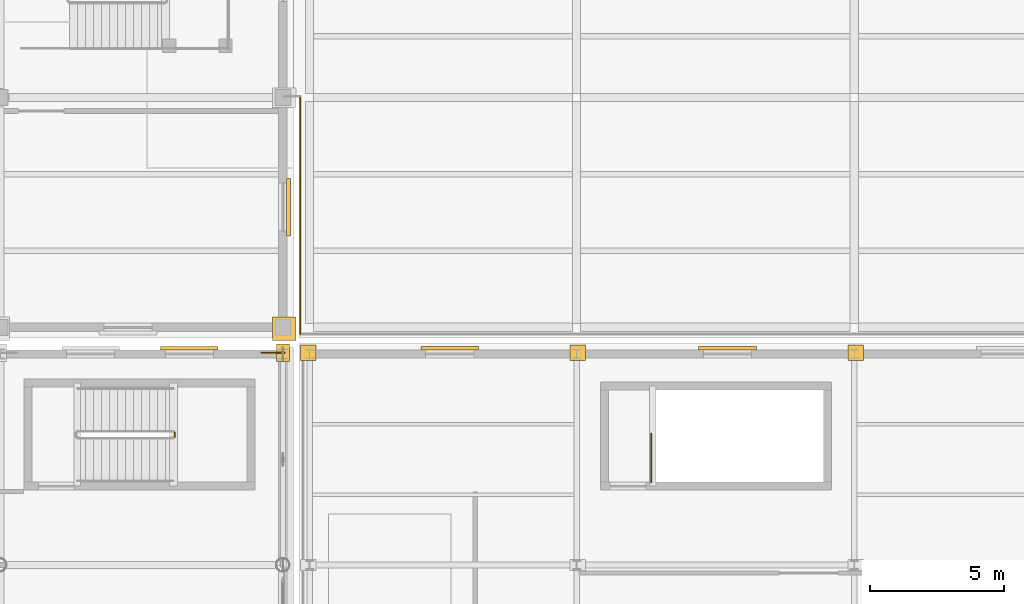
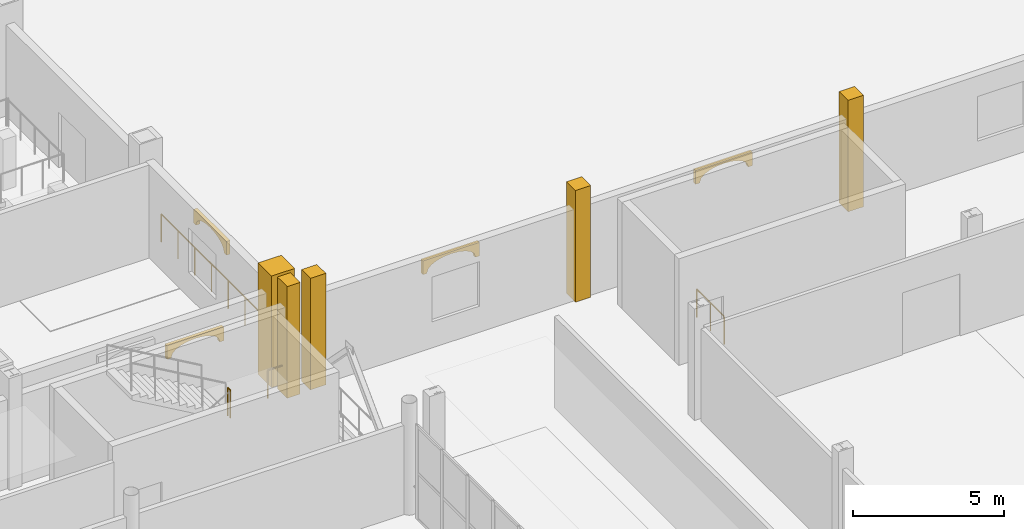
# One storey, part 152 of 156: 9 coverings, 4 railings.
"""IFC4 building model written with IfcOpenShell, lengths in metres."""

from ifc_helpers import new_model, si_unit, direction, frame, origin, origin_2d, place, context, subcontext, project, spatial, polyline, rectangle, circle, outline, extrude, material, layer, layer_set, type_object, element, save


model = new_model("IFC4")

# Units and contexts
model_context = context("Model", 3, precision=1e-05, world=origin(), true_north=direction((0.0, 1.0)))
body_context = subcontext(model_context, "Body", "Model", "MODEL_VIEW")
ifc_project = project(units=[si_unit("LENGTHUNIT", "METRE"), si_unit("AREAUNIT", "SQUARE_METRE"), si_unit("VOLUMEUNIT", "CUBIC_METRE"), si_unit("PLANEANGLEUNIT", "RADIAN"), si_unit("MASSUNIT", "GRAM", prefix="KILO")], contexts=[model_context])

# Site, building, storey
site_placement = place(None, origin())
site = spatial("IfcSite", under=ifc_project, at=site_placement, CompositionType="ELEMENT")
building_placement = place(site_placement, origin())
building = spatial("IfcBuilding", under=site, at=building_placement, Name="Caurita Quay Ferry Terminal", CompositionType="ELEMENT")
storey_placement = place(building_placement, frame((0.0, 0.0, 5.39990234375)))
storey = spatial("IfcBuildingStorey", under=building, at=storey_placement, Name="L01", CompositionType="ELEMENT", Elevation=5.39990234375)

# Coverings
ifc_material_1 = material(Name="Warm-white lime stucco masonry", Category="masonry")
ifc_layer_1 = layer(ifc_material_1, 0.179931640625, Name="Classical engaged lime-stucco facade pilaster cladding 180 mm")
ifc_layer_set_1 = layer_set([ifc_layer_1], Name="Warm-white lime stucco masonry")
covering_type_1 = type_object("IfcCoveringType", Name="COV-PIL-CLD", PredefinedType="CLADDING", material=ifc_layer_set_1)
covering_1_placement = place(storey_placement, frame((131.800048828125, 70.64990234375, 0.0), z_axis=(0.0, 0.0, 1.0), x_axis=(1.0, 0.0, 0.0)))
element("IfcCovering", 1, at=covering_1_placement, inside=storey, type_object=covering_type_1, Name="L01 Classical Engaged Pilaster 0115", PredefinedType="CLADDING", context=body_context, shape_type="SweptSolid", body=[
    extrude(rectangle(XDim=0.492919921875, YDim=0.64794921875, at=origin_2d()), origin(), (0.0, 0.0, 1.0), 4.5),
])
for number, where, z_axis, x_axis, name in (
    (2, (132.75, 70.64990234375, 0.0), (0.0, 0.0, 1.0), (1.0, 0.0, 0.0), "L01 Classical Engaged Pilaster 0126"),
    (3, (142.85009765625, 70.64990234375, 0.0), (0.0, 0.0, 1.0), (1.0, 0.0, 0.0), "L01 Classical Engaged Pilaster 0145"),
    (4, (153.25, 70.64990234375, 0.0), (0.0, 0.0, 1.0), (1.0, 0.0, 0.0), "L01 Classical Engaged Pilaster 0164"),
):
    element("IfcCovering", number, at=place(storey_placement, frame(where, z_axis=z_axis, x_axis=x_axis)), inside=storey, type_object=covering_type_1, Name=name, PredefinedType="CLADDING", context=body_context, shape_type="SweptSolid", body=[
        extrude(rectangle(XDim=0.584716796875, YDim=0.58740234375, at=origin_2d()), origin(), (0.0, 0.0, 1.0), 4.5),
    ])
covering_2_placement = place(storey_placement, frame((131.85009765625, 71.550048828125, 0.0), z_axis=(0.0, 0.0, 1.0), x_axis=(1.0, 0.0, 0.0)))
element("IfcCovering", 5, at=covering_2_placement, inside=storey, type_object=covering_type_1, Name="L01 Classical Engaged Pilaster 0229", PredefinedType="CLADDING", context=body_context, shape_type="SweptSolid", body=[
    extrude(rectangle(XDim=0.8798828125, YDim=0.8798828125, at=origin_2d()), origin(), (0.0, 0.0, 1.0), 4.5),
])
ifc_material_2 = material(Name="Coral stone ashlar cladding", Category="masonry")
ifc_layer_2 = layer(ifc_material_2, 0.139892578125, Name="Spanish Colonial semicircular arched window surround 140 mm")
ifc_layer_set_2 = layer_set([ifc_layer_2], Name="Coral stone ashlar cladding")
covering_type_2 = type_object("IfcCoveringType", Name="COV-WHD-MLD", PredefinedType="MOLDING", material=ifc_layer_set_2)
for number, where, z_axis, x_axis, name in (
    (6, (129.3798828125, 70.81494140625, 2.830078125), (0.0, 0.0, 1.0), (-1.0, 0.0, 0.0), "L01 Arched Window Surround 159"),
    (7, (139.130126953125, 70.81494140625, 2.830078125), (0.0, 0.0, 1.0), (-1.0, 0.0, 0.0), "L01 Arched Window Surround 184"),
    (8, (149.530029296875, 70.81494140625, 2.830078125), (0.0, 0.0, 1.0), (-1.0, 0.0, 0.0), "L01 Arched Window Surround 185"),
    (9, (132.014892578125, 75.02001953125, 2.780029296875), (0.0, 0.0, 1.0), (0.0, 1.0, 0.0), "L01 Arched Window Surround 210"),
):
    element("IfcCovering", number, at=place(storey_placement, frame(where, z_axis=z_axis, x_axis=x_axis)), inside=storey, type_object=covering_type_2, Name=name, PredefinedType="MOLDING", context=body_context, shape_type="SweptSolid", body=[
        extrude(outline(polyline([(0.0, 0.0), (0.159912109375, 0.0), (0.159912109375, 0.0400390625), (0.205078125, 0.1728515625), (0.335693359375, 0.292724609375), (0.539306640625, 0.387939453125), (0.795654296875, 0.448974609375), (1.080078125, 0.469970703125), (1.3642578125, 0.448974609375), (1.62060546875, 0.387939453125), (1.82421875, 0.292724609375), (1.954833984375, 0.1728515625), (2.0, 0.0400390625), (2.0, 0.0), (2.159912109375, 0.0), (2.159912109375, 0.550048828125), (0.0, 0.550048828125), (0.0, 0.0)])), frame((0.0, 0.06982421875, 0.0), z_axis=(0.0, -1.0, 0.0), x_axis=(1.0, 0.0, 0.0)), (0.0, 0.0, 1.0), 0.139892578125),
    ])

# Railings
ifc_material_3 = material(Name="Bronze architectural metalwork", Category="metal")
railing_type = type_object("IfcRailingType", Name="RL-REJA-115", PredefinedType="BALUSTRADE", material=ifc_material_3)
railing_1_placement = place(storey_placement, frame((132.449951171875, 80.199951171875, 0.0)))
element("IfcRailing", 10, at=railing_1_placement, inside=storey, type_object=railing_type, Name="Lower Roof Garden Balustrade SW (019)", PredefinedType="BALUSTRADE", context=body_context, shape_type="SweptSolid", body=[
    extrude(circle(Radius=0.02392578125, at=origin_2d()), frame((0.0, 0.0, 1.1259765625), z_axis=(0.0, -1.0, 0.0), x_axis=(1.0, 0.0, 0.0)), (0.0, 0.0, 1.0), 8.849853515625),
    extrude(circle(Radius=0.02099609375, at=origin_2d()), origin(), (0.0, 0.0, 1.0), 1.101806640625),
    extrude(circle(Radius=0.02099609375, at=origin_2d()), frame((0.0, -1.106201171875, 0.0)), (0.0, 0.0, 1.0), 1.101806640625),
    extrude(circle(Radius=0.02099609375, at=origin_2d()), frame((0.0, -2.21240234375, 0.0)), (0.0, 0.0, 1.0), 1.101806640625),
    extrude(circle(Radius=0.02099609375, at=origin_2d()), frame((0.0, -3.318603515625, 0.0)), (0.0, 0.0, 1.0), 1.101806640625),
    extrude(circle(Radius=0.02099609375, at=origin_2d()), frame((0.0, -4.4248046875, 0.0)), (0.0, 0.0, 1.0), 1.101806640625),
    extrude(circle(Radius=0.02099609375, at=origin_2d()), frame((0.0, -5.53125, 0.0)), (0.0, 0.0, 1.0), 1.101806640625),
    extrude(circle(Radius=0.02099609375, at=origin_2d()), frame((0.0, -6.637451171875, 0.0)), (0.0, 0.0, 1.0), 1.101806640625),
    extrude(circle(Radius=0.02099609375, at=origin_2d()), frame((0.0, -7.74365234375, 0.0)), (0.0, 0.0, 1.0), 1.101806640625),
    extrude(circle(Radius=0.02099609375, at=origin_2d()), frame((0.0, -8.849853515625, 0.0)), (0.0, 0.0, 1.0), 1.101806640625),
])
railing_2_placement = place(storey_placement, frame((131.0, 70.64990234375, 0.0)))
element("IfcRailing", 11, at=railing_2_placement, inside=storey, type_object=railing_type, Name="L01 V2 NE Corner Guard (100)", PredefinedType="BALUSTRADE", context=body_context, shape_type="SweptSolid", body=[
    extrude(circle(Radius=0.02392578125, at=origin_2d()), frame((0.0, 0.0, 1.1259765625), z_axis=(1.0, 0.0, 0.0), x_axis=(0.0, 1.0, 0.0)), (0.0, 0.0, 1.0), 0.85009765625),
    extrude(circle(Radius=0.02099609375, at=origin_2d()), origin(), (0.0, 0.0, 1.0), 1.101806640625),
    extrude(circle(Radius=0.02099609375, at=origin_2d()), frame((0.85009765625, 0.0, 0.0)), (0.0, 0.0, 1.0), 1.101806640625),
])
railing_3_placement = place(storey_placement, frame((127.75, 67.5, 2.25)))
element("IfcRailing", 12, at=railing_3_placement, inside=storey, type_object=railing_type, Name="L01 ST-09 stair guard 2", PredefinedType="BALUSTRADE", context=body_context, shape_type="SweptSolid", body=[
    extrude(circle(Radius=0.02392578125, at=origin_2d()), frame((0.0, 0.0, 1.1259765625), z_axis=(0.0, 1.0, 0.0), x_axis=(-1.0, 0.0, 0.0)), (0.0, 0.0, 1.0), 0.159912109375),
    extrude(circle(Radius=0.02099609375, at=origin_2d()), origin(), (0.0, 0.0, 1.0), 1.101806640625),
    extrude(circle(Radius=0.02099609375, at=origin_2d()), frame((0.0, 0.159912109375, 0.0)), (0.0, 0.0, 1.0), 1.101806640625),
])
railing_4_placement = place(storey_placement, frame((145.60009765625, 65.800048828125, 0.0)))
element("IfcRailing", 13, at=railing_4_placement, inside=storey, type_object=railing_type, Name="L01 ST-10 top well guard 1", PredefinedType="BALUSTRADE", context=body_context, shape_type="SweptSolid", body=[
    extrude(circle(Radius=0.02392578125, at=origin_2d()), frame((0.0, 0.0, 1.1259765625), z_axis=(0.0, 1.0, 0.0), x_axis=(-1.0, 0.0, 0.0)), (0.0, 0.0, 1.0), 1.81005859375),
    extrude(circle(Radius=0.02099609375, at=origin_2d()), origin(), (0.0, 0.0, 1.0), 1.101806640625),
    extrude(circle(Radius=0.02099609375, at=origin_2d()), frame((0.0, 0.905029296875, 0.0)), (0.0, 0.0, 1.0), 1.101806640625),
    extrude(circle(Radius=0.02099609375, at=origin_2d()), frame((0.0, 1.81005859375, 0.0)), (0.0, 0.0, 1.0), 1.101806640625),
])

save(model, "model.ifc")
